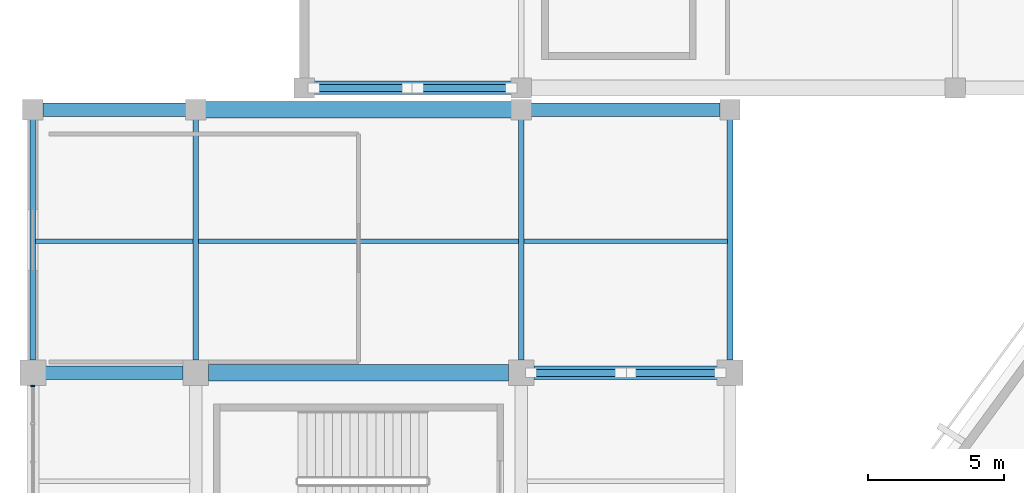
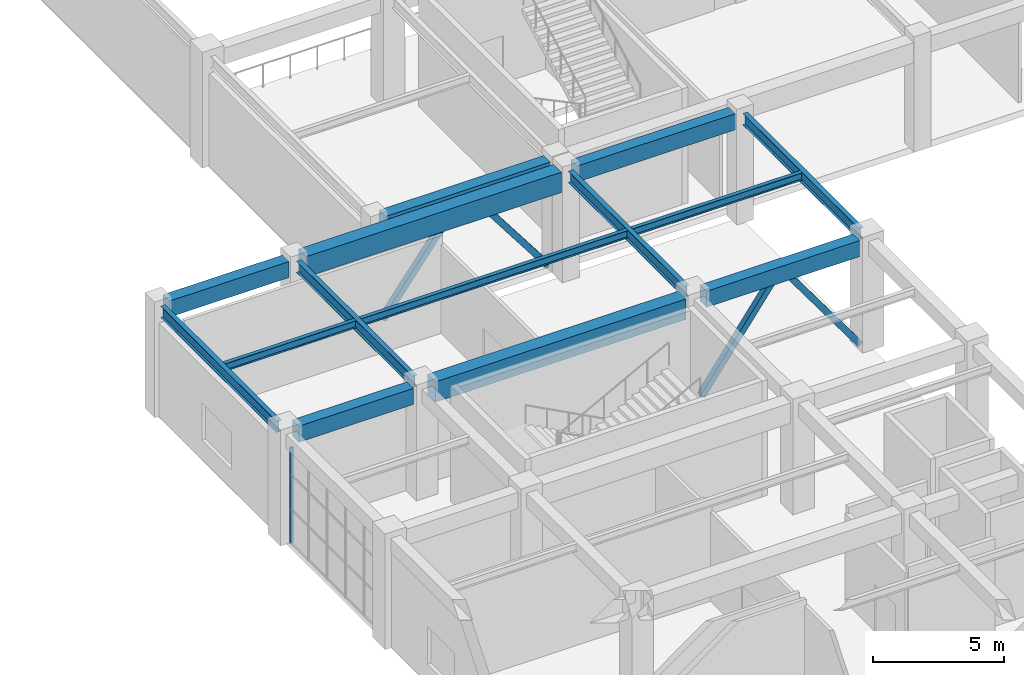
# One storey, part 36 of 120: 14 beams, 5 members, 1 element without a shape of its own.
"""IFC4 building model written with IfcOpenShell, lengths in metres."""

from ifc_helpers import new_model, si_unit, direction, frame, origin, origin_2d, place, context, subcontext, project, spatial, rectangle, hollow_rectangle, i_section, extrude, material, material_profile, profile_set, type_object, element, aggregate, save


model = new_model("IFC4")

# Units and contexts
model_context = context("Model", 3, precision=1e-05, world=origin(), true_north=direction((0.0, 1.0)))
body_context = subcontext(model_context, "Body", "Model", "MODEL_VIEW")
ifc_project = project(units=[si_unit("LENGTHUNIT", "METRE"), si_unit("AREAUNIT", "SQUARE_METRE"), si_unit("VOLUMEUNIT", "CUBIC_METRE"), si_unit("PLANEANGLEUNIT", "RADIAN"), si_unit("MASSUNIT", "GRAM", prefix="KILO")], contexts=[model_context])

# Site, building, storey
site_placement = place(None, origin())
site = spatial("IfcSite", under=ifc_project, at=site_placement, CompositionType="ELEMENT")
building_placement = place(site_placement, origin())
building = spatial("IfcBuilding", under=site, at=building_placement, Name="Cuetzalor Civic Arena", CompositionType="ELEMENT")
storey_placement = place(building_placement, frame((0.0, 0.0, 6.0)))
storey = spatial("IfcBuildingStorey", under=building, at=storey_placement, Name="L01", CompositionType="ELEMENT", Elevation=6.0)

# Beams
ifc_material_1 = material(Name="Concrete C40/50", Category="concrete")
ifc_material_profile_1 = material_profile(ifc_material_1, rectangle(XDim=0.5, YDim=0.75, at=origin_2d()), Name="RC 500x750")
ifc_profile_set_1 = profile_set([ifc_material_profile_1], Name="Concrete C40/50")
beam_type_1 = type_object("IfcBeamType", Name="ConcreteFrameBeam_500x750", PredefinedType="BEAM", material=ifc_profile_set_1)
beam_1_placement = place(storey_placement, frame((-81.534912109375, 25.0, 4.7451171875), z_axis=(1.0, 0.0, 0.0), x_axis=(0.0, 1.0, 0.0)))
element("IfcBeam", 1, at=beam_1_placement, inside=storey, type_object=beam_type_1, Name="Frame Girder V4W-L01-X0375", PredefinedType="BEAM", context=body_context, shape_type="SweptSolid", body=[
    extrude(rectangle(XDim=0.5, YDim=0.75, at=origin_2d()), origin(), (0.0, 0.0, 1.0), 5.06982421875),
])
beam_2_placement = place(storey_placement, frame((-63.534912109375, 25.0, 4.7451171875), z_axis=(1.0, 0.0, 0.0), x_axis=(0.0, 1.0, 0.0)))
element("IfcBeam", 2, at=beam_2_placement, inside=storey, type_object=beam_type_1, Name="Frame Girder V4W-L01-X0377", PredefinedType="BEAM", context=body_context, shape_type="SweptSolid", body=[
    extrude(rectangle(XDim=0.5, YDim=0.75, at=origin_2d()), origin(), (0.0, 0.0, 1.0), 6.77001953125),
])
beam_3_placement = place(storey_placement, frame((-81.635009765625, 34.699951171875, 4.7451171875), z_axis=(1.0, 0.0, 0.0), x_axis=(0.0, 1.0, 0.0)))
element("IfcBeam", 3, at=beam_3_placement, inside=storey, type_object=beam_type_1, Name="Frame Girder V4W-L01-X0378", PredefinedType="BEAM", context=body_context, shape_type="SweptSolid", body=[
    extrude(rectangle(XDim=0.5, YDim=0.75, at=origin_2d()), origin(), (0.0, 0.0, 1.0), 5.27001953125),
])
beam_4_placement = place(storey_placement, frame((-63.635009765625, 34.699951171875, 4.7451171875), z_axis=(1.0, 0.0, 0.0), x_axis=(0.0, 1.0, 0.0)))
element("IfcBeam", 4, at=beam_4_placement, inside=storey, type_object=beam_type_1, Name="Frame Girder V4W-L01-X0380", PredefinedType="BEAM", context=body_context, shape_type="SweptSolid", body=[
    extrude(rectangle(XDim=0.5, YDim=0.75, at=origin_2d()), origin(), (0.0, 0.0, 1.0), 6.969970703125),
])
beam_5_placement = place(storey_placement, frame((-71.635009765625, 35.5, 4.705078125), z_axis=(1.0, 0.0, 0.0), x_axis=(0.0, 1.0, 0.0)))
element("IfcBeam", 5, at=beam_5_placement, inside=storey, type_object=beam_type_1, Name="Frame Girder V5-L01-X0501", PredefinedType="BEAM", context=body_context, shape_type="SweptSolid", body=[
    extrude(rectangle(XDim=0.5, YDim=0.75, at=origin_2d()), origin(), (0.0, 0.0, 1.0), 7.27001953125),
])
ifc_material_2 = material(Name="Concrete C40/50", Category="concrete")
ifc_material_profile_2 = material_profile(ifc_material_2, rectangle(XDim=0.60009765625, YDim=0.949951171875, at=origin_2d()), Name="RC 600x950")
ifc_profile_set_2 = profile_set([ifc_material_profile_2], Name="Concrete C40/50")
beam_type_2 = type_object("IfcBeamType", Name="ConcreteFrameBeam_600x950", PredefinedType="BEAM", material=ifc_profile_set_2)
beam_6_placement = place(storey_placement, frame((-75.534912109375, 25.0, 4.64501953125), z_axis=(1.0, 0.0, 0.0), x_axis=(0.0, 1.0, 0.0)))
element("IfcBeam", 6, at=beam_6_placement, inside=storey, type_object=beam_type_2, Name="Frame Girder V4W-L01-X0376", PredefinedType="BEAM", context=body_context, shape_type="SweptSolid", body=[
    extrude(rectangle(XDim=0.60009765625, YDim=0.949951171875, at=origin_2d()), origin(), (0.0, 0.0, 1.0), 11.06982421875),
])
beam_7_placement = place(storey_placement, frame((-75.635009765625, 34.699951171875, 4.64501953125), z_axis=(1.0, 0.0, 0.0), x_axis=(0.0, 1.0, 0.0)))
element("IfcBeam", 7, at=beam_7_placement, inside=storey, type_object=beam_type_2, Name="Frame Girder V4W-L01-X0379", PredefinedType="BEAM", context=body_context, shape_type="SweptSolid", body=[
    extrude(rectangle(XDim=0.60009765625, YDim=0.949951171875, at=origin_2d()), origin(), (0.0, 0.0, 1.0), 11.27001953125),
])

# Curtain wall, member
ifc_material_3 = material(Name="Anodised dark bronze aluminium and low-E solar glass", Category="aluminium")
curtain_wall_type = type_object("IfcCurtainWallType", Name="UnitisedCW_7100x4450", PredefinedType="USERDEFINED", material=ifc_material_3)
curtain_wall_placement = place(storey_placement, origin())
curtain_wall = element("IfcCurtainWall", 8, at=curtain_wall_placement, inside=storey, type_object=curtain_wall_type, Name="V4W Suite Viewing Curtain Wall L01-112", ObjectType="UNITISED CURTAIN WALL", PredefinedType="USERDEFINED")
ifc_material_4 = material(Name="Anodised dark bronze aluminium", Category="aluminium")
ifc_material_profile_3 = material_profile(ifc_material_4, rectangle(XDim=0.06494140625, YDim=0.14990234375, at=origin_2d()), Name="ALU MULLION 65x150")
ifc_profile_set_3 = profile_set([ifc_material_profile_3], Name="Anodised dark bronze aluminium")
member_type_1 = type_object("IfcMemberType", Name="CurtainWallMullion_60x150", PredefinedType="MULLION", material=ifc_profile_set_3)
member_1_placement = place(storey_placement, frame((-82.0, 24.510498046875, 0.0), z_axis=(0.0, 0.0, 1.0), x_axis=(0.0, 1.0, 0.0)))
member_1 = element("IfcMember", 9, at=member_1_placement, type_object=member_type_1, Name="CW-39 mullion 6", PredefinedType="MULLION", context=body_context, shape_type="SweptSolid", body=[
    extrude(rectangle(XDim=0.06494140625, YDim=0.14990234375, at=origin_2d()), origin(), (0.0, 0.0, 1.0), 4.4599609375),
])
aggregate(curtain_wall, [member_1])

# Members
ifc_material_5 = material(Name="Steel S355", Category="steel")
ifc_material_profile_4 = material_profile(ifc_material_5, hollow_rectangle(XDim=0.260009765625, YDim=0.260009765625, WallThickness=0.012451171875, at=origin_2d()), Name="RHS 260x260x12.5")
ifc_profile_set_4 = profile_set([ifc_material_profile_4], Name="Steel S355")
member_type_2 = type_object("IfcMemberType", Name="LateralFrameBrace_RHS260", PredefinedType="BRACE", material=ifc_profile_set_4)
for number, where, z_axis, x_axis, name in (
    (10, (-71.639892578125, 35.5, 0.14990234375), (0.606987383972, 0.0, 0.794711466948), (0.0, 1.0, 0.0), "Lateral Chevron Brace V5-L01-003"),
    (11, (-64.360107421875, 35.5, 0.14990234375), (-0.606987383972, 0.0, 0.794711466948), (0.0, -1.0, 0.0), "Lateral Chevron Brace V5-L01-004"),
):
    element("IfcMember", number, at=place(storey_placement, frame(where, z_axis=z_axis, x_axis=x_axis)), inside=storey, type_object=member_type_2, Name=name, PredefinedType="BRACE", context=body_context, shape_type="SweptSolid", body=[
        extrude(hollow_rectangle(XDim=0.260009765625, YDim=0.260009765625, WallThickness=0.012451171875, at=origin_2d()), origin(), (0.0, 0.0, 1.0), 5.7001953125),
    ])
member_2_placement = place(storey_placement, frame((-63.639892578125, 25.0, 0.14990234375), z_axis=(0.58994785106, 0.0, 0.807441349591), x_axis=(0.0, 1.0, 0.0)))
element("IfcMember", 12, at=member_2_placement, inside=storey, type_object=member_type_2, Name="Lateral Chevron Brace V4W-L01-015", PredefinedType="BRACE", context=body_context, shape_type="SweptSolid", body=[
    extrude(hollow_rectangle(XDim=0.260009765625, YDim=0.260009765625, WallThickness=0.012451171875, at=origin_2d()), origin(), (0.0, 0.0, 1.0), 5.6103515625),
])
member_3_placement = place(storey_placement, frame((-56.659912109375, 25.0, 0.14990234375), z_axis=(-0.589976220794, 0.0, 0.807420620803), x_axis=(0.0, -1.0, 0.0)))
element("IfcMember", 13, at=member_3_placement, inside=storey, type_object=member_type_2, Name="Lateral Chevron Brace V4W-L01-016", PredefinedType="BRACE", context=body_context, shape_type="SweptSolid", body=[
    extrude(hollow_rectangle(XDim=0.260009765625, YDim=0.260009765625, WallThickness=0.012451171875, at=origin_2d()), origin(), (0.0, 0.0, 1.0), 5.610595703125),
])

# Beams
ifc_material_6 = material(Name="Steel S355", Category="steel")
ifc_material_profile_5 = material_profile(ifc_material_6, i_section(OverallWidth=0.1708984375, OverallDepth=0.35498046875, WebThickness=0.007080078125, FlangeThickness=0.01171875, at=origin_2d()), Name="W360x51")
ifc_profile_set_5 = profile_set([ifc_material_profile_5], Name="Steel S355")
beam_type_3 = type_object("IfcBeamType", Name="SecondaryFloorJoist_W360", PredefinedType="JOIST", material=ifc_profile_set_5)
beam_8_placement = place(storey_placement, frame((-81.903564453125, 29.85009765625, 4.9423828125), z_axis=(1.0, 0.0, 0.0), x_axis=(0.0, 1.0, 0.0)))
element("IfcBeam", 14, at=beam_8_placement, inside=storey, type_object=beam_type_3, Name="Secondary Floor Joist V4W-L01-0114", PredefinedType="JOIST", context=body_context, shape_type="SweptSolid", body=[
    extrude(i_section(OverallWidth=0.1708984375, OverallDepth=0.35498046875, WebThickness=0.007080078125, FlangeThickness=0.01171875, at=origin_2d()), origin(), (0.0, 0.0, 1.0), 5.80712890625),
])
beam_9_placement = place(storey_placement, frame((-75.903564453125, 29.85009765625, 4.9423828125), z_axis=(1.0, 0.0, 0.0), x_axis=(0.0, 1.0, 0.0)))
element("IfcBeam", 15, at=beam_9_placement, inside=storey, type_object=beam_type_3, Name="Secondary Floor Joist V4W-L01-0121", PredefinedType="JOIST", context=body_context, shape_type="SweptSolid", body=[
    extrude(i_section(OverallWidth=0.1708984375, OverallDepth=0.35498046875, WebThickness=0.007080078125, FlangeThickness=0.01171875, at=origin_2d()), origin(), (0.0, 0.0, 1.0), 11.80712890625),
])
beam_10_placement = place(storey_placement, frame((-63.903564453125, 29.85009765625, 4.9423828125), z_axis=(1.0, 0.0, 0.0), x_axis=(0.0, 1.0, 0.0)))
element("IfcBeam", 16, at=beam_10_placement, inside=storey, type_object=beam_type_3, Name="Secondary Floor Joist V4W-L01-0130", PredefinedType="JOIST", context=body_context, shape_type="SweptSolid", body=[
    extrude(i_section(OverallWidth=0.1708984375, OverallDepth=0.35498046875, WebThickness=0.007080078125, FlangeThickness=0.01171875, at=origin_2d()), origin(), (0.0, 0.0, 1.0), 7.507080078125),
])
ifc_material_7 = material(Name="Steel S355", Category="steel")
ifc_material_profile_6 = material_profile(ifc_material_7, i_section(OverallWidth=0.208984375, OverallDepth=0.532958984375, WebThickness=0.01025390625, FlangeThickness=0.015625, at=origin_2d()), Name="W530x92")
ifc_profile_set_6 = profile_set([ifc_material_profile_6], Name="Steel S355")
beam_type_4 = type_object("IfcBeamType", Name="SteelCollarGirder_W530", PredefinedType="BEAM", material=ifc_profile_set_6)
for number, where, z_axis, x_axis, name in (
    (17, (-82.0, 25.465087890625, 4.853515625), (0.0, 1.0, 0.0), (-1.0, 0.0, 0.0), "Frame Girder V4W-L01-Y0390"),
    (18, (-76.0, 25.465087890625, 4.853515625), (0.0, 1.0, 0.0), (-1.0, 0.0, 0.0), "Frame Girder V4W-L01-Y0400"),
    (19, (-64.0, 25.465087890625, 4.853515625), (0.0, 1.0, 0.0), (-1.0, 0.0, 0.0), "Frame Girder V4W-L01-Y0410"),
    (20, (-56.300048828125, 25.465087890625, 4.853515625), (0.0, 1.0, 0.0), (-1.0, 0.0, 0.0), "Frame Girder V4W-L01-Y0420"),
):
    element("IfcBeam", number, at=place(storey_placement, frame(where, z_axis=z_axis, x_axis=x_axis)), inside=storey, type_object=beam_type_4, Name=name, PredefinedType="BEAM", context=body_context, shape_type="SweptSolid", body=[
        extrude(i_section(OverallWidth=0.208984375, OverallDepth=0.532958984375, WebThickness=0.01025390625, FlangeThickness=0.015625, at=origin_2d()), origin(), (0.0, 0.0, 1.0), 8.869873046875),
    ])

save(model, "model.ifc")
